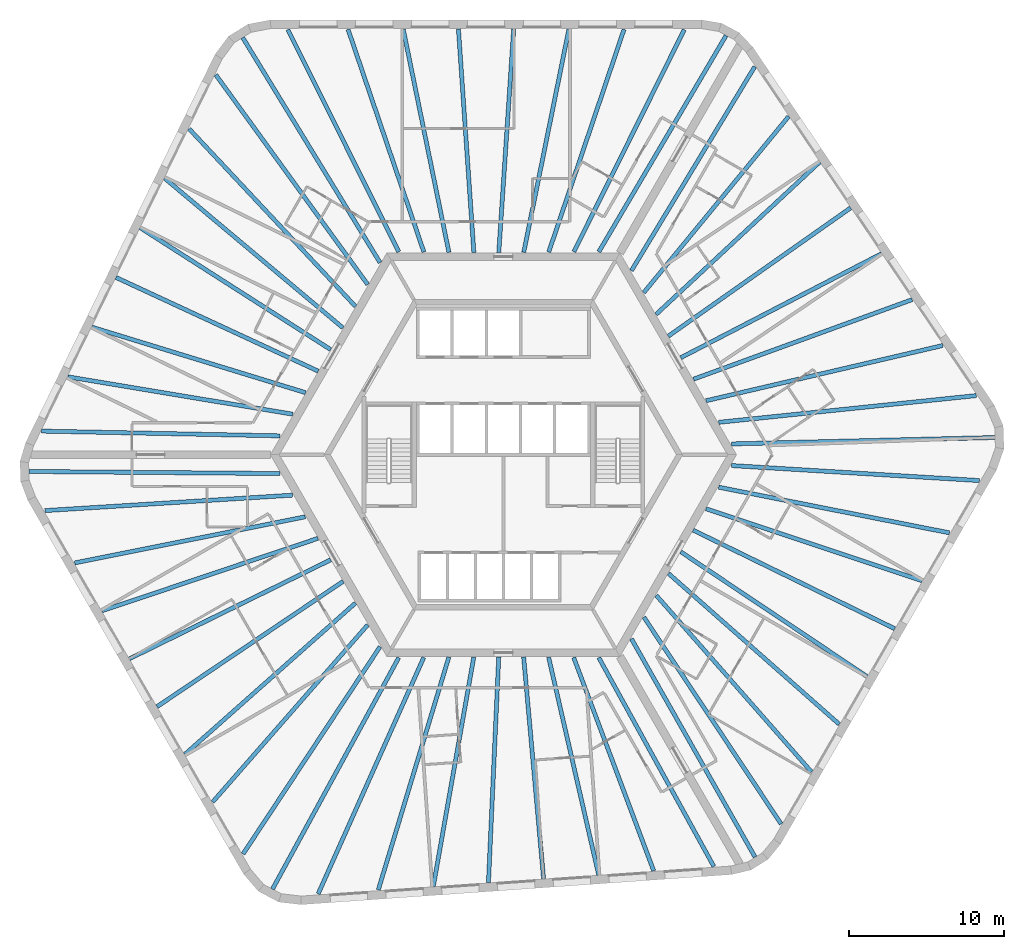
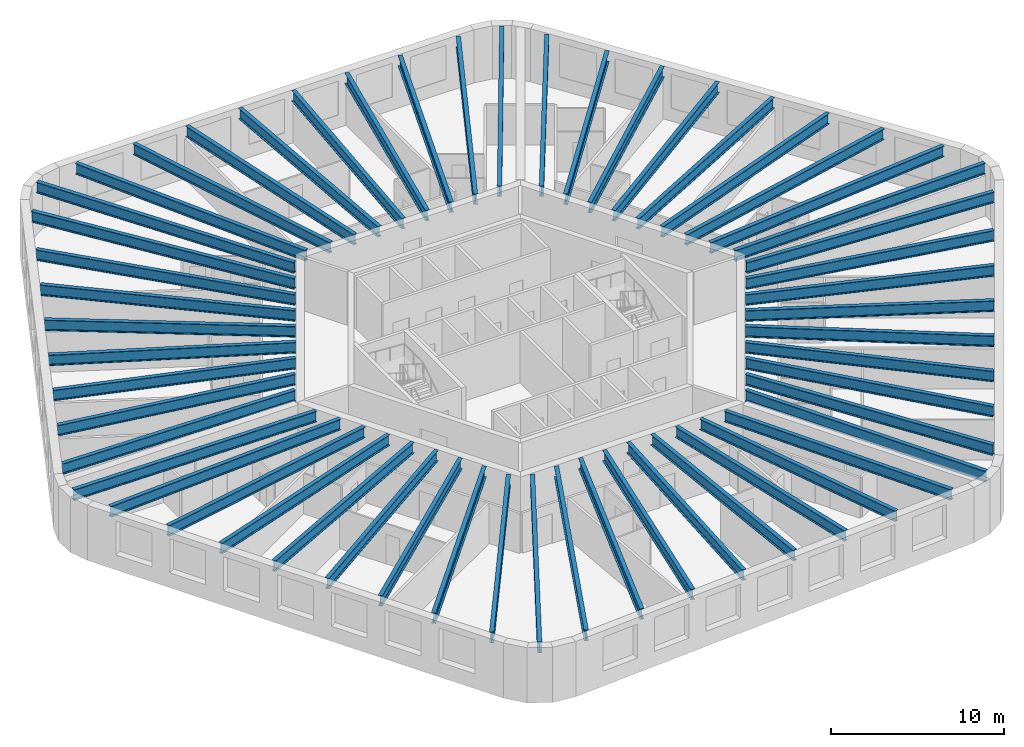
# One storey, part 1 of 10: 54 beams.
"""IFC4 building model written with IfcOpenShell, lengths in metres."""

from ifc_helpers import new_model, si_unit, direction, frame, origin, origin_2d, place, context, subcontext, project, spatial, i_section, extrude, material, material_profile, profile_set, type_object, element, save


model = new_model("IFC4")

# Units and contexts
model_context = context("Model", 3, precision=1e-05, world=origin(), true_north=direction((0.0, 1.0)))
body_context = subcontext(model_context, "Body", "Model", "MODEL_VIEW")
ifc_project = project(units=[si_unit("LENGTHUNIT", "METRE"), si_unit("AREAUNIT", "SQUARE_METRE"), si_unit("VOLUMEUNIT", "CUBIC_METRE"), si_unit("PLANEANGLEUNIT", "RADIAN"), si_unit("MASSUNIT", "GRAM", prefix="KILO")], contexts=[model_context])

# Site, building, storey
site_placement = place(None, origin())
site = spatial("IfcSite", under=ifc_project, at=site_placement, CompositionType="ELEMENT")
building_placement = place(site_placement, origin())
building = spatial("IfcBuilding", under=site, at=building_placement, Name="Tarnside Tower", CompositionType="ELEMENT")
storey_placement = place(building_placement, frame((0.0, 0.0, 242.39990234375)))
storey = spatial("IfcBuildingStorey", under=building, at=storey_placement, Name="L58", CompositionType="ELEMENT", Elevation=242.39990234375)

# Beams
ifc_material = material(Name="Steel S355", Category="steel")
ifc_material_profile_1 = material_profile(ifc_material, i_section(OverallWidth=0.26513671875, OverallDepth=0.75390625, WebThickness=0.0126953125, FlangeThickness=0.017578125, FilletRadius=0.0166015625, at=origin_2d()), Name="UB 762x267x147")
ifc_profile_set_1 = profile_set([ifc_material_profile_1], Name="Steel S355")
beam_type_1 = type_object("IfcBeamType", Name="Floor beam UB 762x267x147", PredefinedType="BEAM", material=ifc_profile_set_1)
beam_1_placement = place(storey_placement, frame((7.77001953125, 27.393310546875, 3.373046875), z_axis=(-0.320362579778, -0.947295000239, 0.0), x_axis=(0.947295000239, -0.320362579778, 0.0)))
element("IfcBeam", 1, at=beam_1_placement, inside=storey, type_object=beam_type_1, Name="Floor beam F1.02", PredefinedType="BEAM", context=body_context, shape_type="SweptSolid", body=[
    extrude(i_section(OverallWidth=0.26513671875, OverallDepth=0.75390625, WebThickness=0.0126953125, FlangeThickness=0.017578125, FilletRadius=0.0166015625, at=origin_2d()), origin(), (0.0, 0.0, 1.0), 15.134033203125),
])
beam_2_placement = place(storey_placement, frame((4.218505859375, 27.410888671875, 3.373046875), z_axis=(-0.19841777413, -0.980117537293, 0.0), x_axis=(0.980117537293, -0.19841777413, 0.0)))
element("IfcBeam", 2, at=beam_2_placement, inside=storey, type_object=beam_type_1, Name="Floor beam F1.03", PredefinedType="BEAM", context=body_context, shape_type="SweptSolid", body=[
    extrude(i_section(OverallWidth=0.26513671875, OverallDepth=0.75390625, WebThickness=0.0126953125, FlangeThickness=0.017578125, FilletRadius=0.0166015625, at=origin_2d()), origin(), (0.0, 0.0, 1.0), 14.6630859375),
])
beam_3_placement = place(storey_placement, frame((0.66259765625, 27.429931640625, 3.373046875), z_axis=(-0.066554914868, -0.997782763585, 0.0), x_axis=(0.997782763585, -0.066554914868, 0.0)))
element("IfcBeam", 3, at=beam_3_placement, inside=storey, type_object=beam_type_1, Name="Floor beam F1.04", PredefinedType="BEAM", context=body_context, shape_type="SweptSolid", body=[
    extrude(i_section(OverallWidth=0.26513671875, OverallDepth=0.75390625, WebThickness=0.0126953125, FlangeThickness=0.017578125, FilletRadius=0.0166015625, at=origin_2d()), origin(), (0.0, 0.0, 1.0), 14.44189453125),
])
beam_4_placement = place(storey_placement, frame((-2.8974609375, 27.429931640625, 3.373046875), z_axis=(0.068876921658, -0.997625164911, 0.0), x_axis=(0.997625164911, 0.068876921658, 0.0)))
element("IfcBeam", 4, at=beam_4_placement, inside=storey, type_object=beam_type_1, Name="Floor beam F1.05", PredefinedType="BEAM", context=body_context, shape_type="SweptSolid", body=[
    extrude(i_section(OverallWidth=0.26513671875, OverallDepth=0.75390625, WebThickness=0.0126953125, FlangeThickness=0.017578125, FilletRadius=0.0166015625, at=origin_2d()), origin(), (0.0, 0.0, 1.0), 14.4443359375),
])
beam_5_placement = place(storey_placement, frame((-6.45361328125, 27.410888671875, 3.373046875), z_axis=(0.200623497398, -0.979668419564, 0.0), x_axis=(0.979668419564, 0.200623497398, 0.0)))
element("IfcBeam", 5, at=beam_5_placement, inside=storey, type_object=beam_type_1, Name="Floor beam F1.06", PredefinedType="BEAM", context=body_context, shape_type="SweptSolid", body=[
    extrude(i_section(OverallWidth=0.26513671875, OverallDepth=0.75390625, WebThickness=0.0126953125, FlangeThickness=0.017578125, FilletRadius=0.0166015625, at=origin_2d()), origin(), (0.0, 0.0, 1.0), 14.669921875),
])
beam_6_placement = place(storey_placement, frame((-10.0048828125, 27.393310546875, 3.373046875), z_axis=(0.322343712034, -0.946622697442, 0.0), x_axis=(0.946622697442, 0.322343712034, 0.0)))
element("IfcBeam", 6, at=beam_6_placement, inside=storey, type_object=beam_type_1, Name="Floor beam F1.07", PredefinedType="BEAM", context=body_context, shape_type="SweptSolid", body=[
    extrude(i_section(OverallWidth=0.26513671875, OverallDepth=0.75390625, WebThickness=0.0126953125, FlangeThickness=0.017578125, FilletRadius=0.0166015625, at=origin_2d()), origin(), (0.0, 0.0, 1.0), 15.144775390625),
])
beam_7_placement = place(storey_placement, frame((-20.241455078125, 20.9892578125, 3.373046875), z_axis=(0.683752330283, -0.729714156936, 0.0), x_axis=(0.729714156936, 0.683752330283, 0.0)))
element("IfcBeam", 7, at=beam_7_placement, inside=storey, type_object=beam_type_1, Name="Floor beam F2.02", PredefinedType="BEAM", context=body_context, shape_type="SweptSolid", body=[
    extrude(i_section(OverallWidth=0.26513671875, OverallDepth=0.75390625, WebThickness=0.0126953125, FlangeThickness=0.017578125, FilletRadius=0.0166015625, at=origin_2d()), origin(), (0.0, 0.0, 1.0), 15.6591796875),
])
beam_8_placement = place(storey_placement, frame((-21.81396484375, 17.80419921875, 3.373046875), z_axis=(0.765948461073, -0.642901979294, 0.0), x_axis=(0.642901979294, 0.765948461073, 0.0)))
element("IfcBeam", 8, at=beam_8_placement, inside=storey, type_object=beam_type_1, Name="Floor beam F2.03", PredefinedType="BEAM", context=body_context, shape_type="SweptSolid", body=[
    extrude(i_section(OverallWidth=0.26513671875, OverallDepth=0.75390625, WebThickness=0.0126953125, FlangeThickness=0.017578125, FilletRadius=0.0166015625, at=origin_2d()), origin(), (0.0, 0.0, 1.0), 14.982177734375),
])
beam_9_placement = place(storey_placement, frame((-23.389892578125, 14.616455078125, 3.373046875), z_axis=(0.842378275633, -0.538886667808, 0.0), x_axis=(0.538886667808, 0.842378275633, 0.0)))
element("IfcBeam", 9, at=beam_9_placement, inside=storey, type_object=beam_type_1, Name="Floor beam F2.04", PredefinedType="BEAM", context=body_context, shape_type="SweptSolid", body=[
    extrude(i_section(OverallWidth=0.26513671875, OverallDepth=0.75390625, WebThickness=0.0126953125, FlangeThickness=0.017578125, FilletRadius=0.0166015625, at=origin_2d()), origin(), (0.0, 0.0, 1.0), 14.5595703125),
])
beam_10_placement = place(storey_placement, frame((-24.9501953125, 11.416748046875, 3.373046875), z_axis=(0.907310131748, -0.420462037321, 0.0), x_axis=(0.420462037321, 0.907310131748, 0.0)))
element("IfcBeam", 10, at=beam_10_placement, inside=storey, type_object=beam_type_1, Name="Floor beam F2.05", PredefinedType="BEAM", context=body_context, shape_type="SweptSolid", body=[
    extrude(i_section(OverallWidth=0.26513671875, OverallDepth=0.75390625, WebThickness=0.0126953125, FlangeThickness=0.017578125, FilletRadius=0.0166015625, at=origin_2d()), origin(), (0.0, 0.0, 1.0), 14.353515625),
])
beam_11_placement = place(storey_placement, frame((-26.510986328125, 8.2177734375, 3.373046875), z_axis=(0.956073348261, -0.293127536654, 0.0), x_axis=(0.293127536654, 0.956073348261, 0.0)))
element("IfcBeam", 11, at=beam_11_placement, inside=storey, type_object=beam_type_1, Name="Floor beam F2.06", PredefinedType="BEAM", context=body_context, shape_type="SweptSolid", body=[
    extrude(i_section(OverallWidth=0.26513671875, OverallDepth=0.75390625, WebThickness=0.0126953125, FlangeThickness=0.017578125, FilletRadius=0.0166015625, at=origin_2d()), origin(), (0.0, 0.0, 1.0), 14.3955078125),
])
beam_12_placement = place(storey_placement, frame((-28.0517578125, 5.015869140625, 3.373046875), z_axis=(0.986476498304, -0.163902770858, 0.0), x_axis=(0.163902770858, 0.986476498304, 0.0)))
element("IfcBeam", 12, at=beam_12_placement, inside=storey, type_object=beam_type_1, Name="Floor beam F2.07", PredefinedType="BEAM", context=body_context, shape_type="SweptSolid", body=[
    extrude(i_section(OverallWidth=0.26513671875, OverallDepth=0.75390625, WebThickness=0.0126953125, FlangeThickness=0.017578125, FilletRadius=0.0166015625, at=origin_2d()), origin(), (0.0, 0.0, 1.0), 14.680908203125),
])
beam_13_placement = place(storey_placement, frame((-29.73828125, 1.521484375, 3.373046875), z_axis=(0.999800142641, -0.019991867701, 0.0), x_axis=(0.019991867701, 0.999800142641, 0.0)))
element("IfcBeam", 13, at=beam_13_placement, inside=storey, type_object=beam_type_1, Name="Floor beam F2.08", PredefinedType="BEAM", context=body_context, shape_type="SweptSolid", body=[
    extrude(i_section(OverallWidth=0.26513671875, OverallDepth=0.75390625, WebThickness=0.0126953125, FlangeThickness=0.017578125, FilletRadius=0.0166015625, at=origin_2d()), origin(), (0.0, 0.0, 1.0), 15.3505859375),
])
beam_14_placement = place(storey_placement, frame((-27.608154296875, -6.967529296875, 3.373046875), z_axis=(0.980564540422, 0.196196794232, 0.0), x_axis=(-0.196196794232, 0.980564540422, 0.0)))
element("IfcBeam", 14, at=beam_14_placement, inside=storey, type_object=beam_type_1, Name="Floor beam F3.02", PredefinedType="BEAM", context=body_context, shape_type="SweptSolid", body=[
    extrude(i_section(OverallWidth=0.26513671875, OverallDepth=0.75390625, WebThickness=0.0126953125, FlangeThickness=0.017578125, FilletRadius=0.0166015625, at=origin_2d()), origin(), (0.0, 0.0, 1.0), 15.134033203125),
])
beam_15_placement = place(storey_placement, frame((-25.84765625, -10.052001953125, 3.373046875), z_axis=(0.948011835322, 0.31823507049, 0.0), x_axis=(-0.31823507049, 0.948011835322, 0.0)))
element("IfcBeam", 15, at=beam_15_placement, inside=storey, type_object=beam_type_1, Name="Floor beam F3.03", PredefinedType="BEAM", context=body_context, shape_type="SweptSolid", body=[
    extrude(i_section(OverallWidth=0.26513671875, OverallDepth=0.75390625, WebThickness=0.0126953125, FlangeThickness=0.017578125, FilletRadius=0.0166015625, at=origin_2d()), origin(), (0.0, 0.0, 1.0), 14.662841796875),
])
beam_16_placement = place(storey_placement, frame((-24.086181640625, -13.141357421875, 3.373046875), z_axis=(0.897375974806, 0.441266767206, 0.0), x_axis=(-0.441266767206, 0.897375974806, 0.0)))
element("IfcBeam", 16, at=beam_16_placement, inside=storey, type_object=beam_type_1, Name="Floor beam F3.04", PredefinedType="BEAM", context=body_context, shape_type="SweptSolid", body=[
    extrude(i_section(OverallWidth=0.26513671875, OverallDepth=0.75390625, WebThickness=0.0126953125, FlangeThickness=0.017578125, FilletRadius=0.0166015625, at=origin_2d()), origin(), (0.0, 0.0, 1.0), 14.442138671875),
])
beam_17_placement = place(storey_placement, frame((-22.306396484375, -16.224365234375, 3.373046875), z_axis=(0.829532486243, 0.558458462437, 0.0), x_axis=(-0.558458462437, 0.829532486243, 0.0)))
element("IfcBeam", 17, at=beam_17_placement, inside=storey, type_object=beam_type_1, Name="Floor beam F3.05", PredefinedType="BEAM", context=body_context, shape_type="SweptSolid", body=[
    extrude(i_section(OverallWidth=0.26513671875, OverallDepth=0.75390625, WebThickness=0.0126953125, FlangeThickness=0.017578125, FilletRadius=0.0166015625, at=origin_2d()), origin(), (0.0, 0.0, 1.0), 14.444580078125),
])
beam_18_placement = place(storey_placement, frame((-20.51171875, -19.294189453125, 3.373046875), z_axis=(0.74811408094, 0.663570133369, 0.0), x_axis=(-0.663570133369, 0.74811408094, 0.0)))
element("IfcBeam", 18, at=beam_18_placement, inside=storey, type_object=beam_type_1, Name="Floor beam F3.06", PredefinedType="BEAM", context=body_context, shape_type="SweptSolid", body=[
    extrude(i_section(OverallWidth=0.26513671875, OverallDepth=0.75390625, WebThickness=0.0126953125, FlangeThickness=0.017578125, FilletRadius=0.0166015625, at=origin_2d()), origin(), (0.0, 0.0, 1.0), 14.669677734375),
])
beam_19_placement = place(storey_placement, frame((-18.720703125, -22.361083984375, 3.373046875), z_axis=(0.658621010302, 0.752474826681, 0.0), x_axis=(-0.752474826681, 0.658621010302, 0.0)))
element("IfcBeam", 19, at=beam_19_placement, inside=storey, type_object=beam_type_1, Name="Floor beam F3.07", PredefinedType="BEAM", context=body_context, shape_type="SweptSolid", body=[
    extrude(i_section(OverallWidth=0.26513671875, OverallDepth=0.75390625, WebThickness=0.0126953125, FlangeThickness=0.017578125, FilletRadius=0.0166015625, at=origin_2d()), origin(), (0.0, 0.0, 1.0), 15.144775390625),
])
beam_20_placement = place(storey_placement, frame((-8.056396484375, -28.024169921875, 3.373046875), z_axis=(0.290070138838, 0.957005388989, 0.0), x_axis=(-0.957005388989, 0.290070138838, 0.0)))
element("IfcBeam", 20, at=beam_20_placement, inside=storey, type_object=beam_type_1, Name="Floor beam F4.02", PredefinedType="BEAM", context=body_context, shape_type="SweptSolid", body=[
    extrude(i_section(OverallWidth=0.26513671875, OverallDepth=0.75390625, WebThickness=0.0126953125, FlangeThickness=0.017578125, FilletRadius=0.0166015625, at=origin_2d()), origin(), (0.0, 0.0, 1.0), 15.6591796875),
])
beam_21_placement = place(storey_placement, frame((-4.511962890625, -27.793701171875, 3.373046875), z_axis=(0.173788122681, 0.984783066678, 0.0), x_axis=(-0.984783066678, 0.173788122681, 0.0)))
element("IfcBeam", 21, at=beam_21_placement, inside=storey, type_object=beam_type_1, Name="Floor beam F4.03", PredefinedType="BEAM", context=body_context, shape_type="SweptSolid", body=[
    extrude(i_section(OverallWidth=0.26513671875, OverallDepth=0.75390625, WebThickness=0.0126953125, FlangeThickness=0.017578125, FilletRadius=0.0166015625, at=origin_2d()), origin(), (0.0, 0.0, 1.0), 14.982421875),
])
beam_22_placement = place(storey_placement, frame((-0.96337890625, -27.564453125, 3.373046875), z_axis=(0.045509585226, 0.998963902077, 0.0), x_axis=(-0.998963902077, 0.045509585226, 0.0)))
element("IfcBeam", 22, at=beam_22_placement, inside=storey, type_object=beam_type_1, Name="Floor beam F4.04", PredefinedType="BEAM", context=body_context, shape_type="SweptSolid", body=[
    extrude(i_section(OverallWidth=0.26513671875, OverallDepth=0.75390625, WebThickness=0.0126953125, FlangeThickness=0.017578125, FilletRadius=0.0166015625, at=origin_2d()), origin(), (0.0, 0.0, 1.0), 14.5595703125),
])
beam_23_placement = place(storey_placement, frame((2.587890625, -27.31591796875, 3.373046875), z_axis=(-0.089518916897, 0.995985122137, 0.0), x_axis=(-0.995985122137, -0.089518916897, 0.0)))
element("IfcBeam", 23, at=beam_23_placement, inside=storey, type_object=beam_type_1, Name="Floor beam F4.05", PredefinedType="BEAM", context=body_context, shape_type="SweptSolid", body=[
    extrude(i_section(OverallWidth=0.26513671875, OverallDepth=0.75390625, WebThickness=0.0126953125, FlangeThickness=0.017578125, FilletRadius=0.0166015625, at=origin_2d()), origin(), (0.0, 0.0, 1.0), 14.353515625),
])
beam_24_placement = place(storey_placement, frame((6.138671875, -27.068115234375, 3.373046875), z_axis=(-0.224188122435, 0.974545886944, 0.0), x_axis=(-0.974545886944, -0.224188122435, 0.0)))
element("IfcBeam", 24, at=beam_24_placement, inside=storey, type_object=beam_type_1, Name="Floor beam F4.06", PredefinedType="BEAM", context=body_context, shape_type="SweptSolid", body=[
    extrude(i_section(OverallWidth=0.26513671875, OverallDepth=0.75390625, WebThickness=0.0126953125, FlangeThickness=0.017578125, FilletRadius=0.0166015625, at=origin_2d()), origin(), (0.0, 0.0, 1.0), 14.3955078125),
])
beam_25_placement = place(storey_placement, frame((9.681884765625, -26.801513671875, 3.373046875), z_axis=(-0.351271055087, 0.936273809234, 0.0), x_axis=(-0.936273809234, -0.351271055087, 0.0)))
element("IfcBeam", 25, at=beam_25_placement, inside=storey, type_object=beam_type_1, Name="Floor beam F4.07", PredefinedType="BEAM", context=body_context, shape_type="SweptSolid", body=[
    extrude(i_section(OverallWidth=0.26513671875, OverallDepth=0.75390625, WebThickness=0.0126953125, FlangeThickness=0.017578125, FilletRadius=0.0166015625, at=origin_2d()), origin(), (0.0, 0.0, 1.0), 14.680908203125),
])
beam_26_placement = place(storey_placement, frame((13.551513671875, -26.514892578125, 3.373046875), z_axis=(-0.482584088089, 0.875849643445, 0.0), x_axis=(-0.875849643445, -0.482584088089, 0.0)))
element("IfcBeam", 26, at=beam_26_placement, inside=storey, type_object=beam_type_1, Name="Floor beam F4.08", PredefinedType="BEAM", context=body_context, shape_type="SweptSolid", body=[
    extrude(i_section(OverallWidth=0.26513671875, OverallDepth=0.75390625, WebThickness=0.0126953125, FlangeThickness=0.017578125, FilletRadius=0.0166015625, at=origin_2d()), origin(), (0.0, 0.0, 1.0), 15.3505859375),
])
beam_27_placement = place(storey_placement, frame((19.838134765625, -20.425537109375, 3.373046875), z_axis=(-0.660201214512, 0.751088780609, 0.0), x_axis=(-0.751088780609, -0.660201214512, 0.0)))
element("IfcBeam", 27, at=beam_27_placement, inside=storey, type_object=beam_type_1, Name="Floor beam F5.02", PredefinedType="BEAM", context=body_context, shape_type="SweptSolid", body=[
    extrude(i_section(OverallWidth=0.26513671875, OverallDepth=0.75390625, WebThickness=0.0126953125, FlangeThickness=0.017578125, FilletRadius=0.0166015625, at=origin_2d()), origin(), (0.0, 0.0, 1.0), 15.134033203125),
])
beam_28_placement = place(storey_placement, frame((21.629150390625, -17.358642578125, 3.373046875), z_axis=(-0.749601662028, 0.661889226597, 0.0), x_axis=(-0.661889226597, -0.749601662028, 0.0)))
element("IfcBeam", 28, at=beam_28_placement, inside=storey, type_object=beam_type_1, Name="Floor beam F5.03", PredefinedType="BEAM", context=body_context, shape_type="SweptSolid", body=[
    extrude(i_section(OverallWidth=0.26513671875, OverallDepth=0.75390625, WebThickness=0.0126953125, FlangeThickness=0.017578125, FilletRadius=0.0166015625, at=origin_2d()), origin(), (0.0, 0.0, 1.0), 14.6630859375),
])
beam_29_placement = place(storey_placement, frame((23.423828125, -14.288818359375, 3.373046875), z_axis=(-0.830825943553, 0.556532345439, 0.0), x_axis=(-0.556532345439, -0.830825943553, 0.0)))
element("IfcBeam", 29, at=beam_29_placement, inside=storey, type_object=beam_type_1, Name="Floor beam F5.04", PredefinedType="BEAM", context=body_context, shape_type="SweptSolid", body=[
    extrude(i_section(OverallWidth=0.26513671875, OverallDepth=0.75390625, WebThickness=0.0126953125, FlangeThickness=0.017578125, FilletRadius=0.0166015625, at=origin_2d()), origin(), (0.0, 0.0, 1.0), 14.4423828125),
])
beam_30_placement = place(storey_placement, frame((25.203857421875, -11.205810546875, 3.373046875), z_axis=(-0.898407034897, 0.43916375038, 0.0), x_axis=(-0.43916375038, -0.898407034897, 0.0)))
element("IfcBeam", 30, at=beam_30_placement, inside=storey, type_object=beam_type_1, Name="Floor beam F5.05", PredefinedType="BEAM", context=body_context, shape_type="SweptSolid", body=[
    extrude(i_section(OverallWidth=0.26513671875, OverallDepth=0.75390625, WebThickness=0.0126953125, FlangeThickness=0.017578125, FilletRadius=0.0166015625, at=origin_2d()), origin(), (0.0, 0.0, 1.0), 14.444580078125),
])
beam_31_placement = place(storey_placement, frame((26.965087890625, -8.116455078125, 3.373046875), z_axis=(-0.948728223501, 0.31609295774, 0.0), x_axis=(-0.31609295774, -0.948728223501, 0.0)))
element("IfcBeam", 31, at=beam_31_placement, inside=storey, type_object=beam_type_1, Name="Floor beam F5.06", PredefinedType="BEAM", context=body_context, shape_type="SweptSolid", body=[
    extrude(i_section(OverallWidth=0.26513671875, OverallDepth=0.75390625, WebThickness=0.0126953125, FlangeThickness=0.017578125, FilletRadius=0.0166015625, at=origin_2d()), origin(), (0.0, 0.0, 1.0), 14.669677734375),
])
beam_32_placement = place(storey_placement, frame((28.7255859375, -5.031982421875, 3.373046875), z_axis=(-0.980974250646, 0.194137888034, 0.0), x_axis=(-0.194137888034, -0.980974250646, 0.0)))
element("IfcBeam", 32, at=beam_32_placement, inside=storey, type_object=beam_type_1, Name="Floor beam F5.07", PredefinedType="BEAM", context=body_context, shape_type="SweptSolid", body=[
    extrude(i_section(OverallWidth=0.26513671875, OverallDepth=0.75390625, WebThickness=0.0126953125, FlangeThickness=0.017578125, FilletRadius=0.0166015625, at=origin_2d()), origin(), (0.0, 0.0, 1.0), 15.144775390625),
])
beam_33_placement = place(storey_placement, frame((28.2978515625, 7.034912109375, 3.373046875), z_axis=(-0.973828212928, -0.227285309042, 0.0), x_axis=(0.227285309042, -0.973828212928, 0.0)))
element("IfcBeam", 33, at=beam_33_placement, inside=storey, type_object=beam_type_1, Name="Floor beam F6.02", PredefinedType="BEAM", context=body_context, shape_type="SweptSolid", body=[
    extrude(i_section(OverallWidth=0.26513671875, OverallDepth=0.75390625, WebThickness=0.0126953125, FlangeThickness=0.017578125, FilletRadius=0.0166015625, at=origin_2d()), origin(), (0.0, 0.0, 1.0), 15.6591796875),
])
beam_34_placement = place(storey_placement, frame((26.325927734375, 9.989501953125, 3.373046875), z_axis=(-0.939738697004, -0.341893523415, 0.0), x_axis=(0.341893523415, -0.939738697004, 0.0)))
element("IfcBeam", 34, at=beam_34_placement, inside=storey, type_object=beam_type_1, Name="Floor beam F6.03", PredefinedType="BEAM", context=body_context, shape_type="SweptSolid", body=[
    extrude(i_section(OverallWidth=0.26513671875, OverallDepth=0.75390625, WebThickness=0.0126953125, FlangeThickness=0.017578125, FilletRadius=0.0166015625, at=origin_2d()), origin(), (0.0, 0.0, 1.0), 14.982177734375),
])
beam_35_placement = place(storey_placement, frame((24.353271484375, 12.947998046875, 3.373046875), z_axis=(-0.887881646639, -0.460071930856, 0.0), x_axis=(0.460071930856, -0.887881646639, 0.0)))
element("IfcBeam", 35, at=beam_35_placement, inside=storey, type_object=beam_type_1, Name="Floor beam F6.04", PredefinedType="BEAM", context=body_context, shape_type="SweptSolid", body=[
    extrude(i_section(OverallWidth=0.26513671875, OverallDepth=0.75390625, WebThickness=0.0126953125, FlangeThickness=0.017578125, FilletRadius=0.0166015625, at=origin_2d()), origin(), (0.0, 0.0, 1.0), 14.5595703125),
])
beam_36_placement = place(storey_placement, frame((22.3623046875, 15.899169921875, 3.373046875), z_axis=(-0.817791001708, -0.575515314762, 0.0), x_axis=(0.575515314762, -0.817791001708, 0.0)))
element("IfcBeam", 36, at=beam_36_placement, inside=storey, type_object=beam_type_1, Name="Floor beam F6.05", PredefinedType="BEAM", context=body_context, shape_type="SweptSolid", body=[
    extrude(i_section(OverallWidth=0.26513671875, OverallDepth=0.75390625, WebThickness=0.0126953125, FlangeThickness=0.017578125, FilletRadius=0.0166015625, at=origin_2d()), origin(), (0.0, 0.0, 1.0), 14.353759765625),
])
beam_37_placement = place(storey_placement, frame((20.372314453125, 18.850341796875, 3.373046875), z_axis=(-0.731892224456, -0.681420407517, 0.0), x_axis=(0.681420407517, -0.731892224456, 0.0)))
element("IfcBeam", 37, at=beam_37_placement, inside=storey, type_object=beam_type_1, Name="Floor beam F6.06", PredefinedType="BEAM", context=body_context, shape_type="SweptSolid", body=[
    extrude(i_section(OverallWidth=0.26513671875, OverallDepth=0.75390625, WebThickness=0.0126953125, FlangeThickness=0.017578125, FilletRadius=0.0166015625, at=origin_2d()), origin(), (0.0, 0.0, 1.0), 14.3955078125),
])
beam_38_placement = place(storey_placement, frame((18.369873046875, 21.78564453125, 3.373046875), z_axis=(-0.635191827457, -0.772354414975, 0.0), x_axis=(0.772354414975, -0.635191827457, 0.0)))
element("IfcBeam", 38, at=beam_38_placement, inside=storey, type_object=beam_type_1, Name="Floor beam F6.07", PredefinedType="BEAM", context=body_context, shape_type="SweptSolid", body=[
    extrude(i_section(OverallWidth=0.26513671875, OverallDepth=0.75390625, WebThickness=0.0126953125, FlangeThickness=0.017578125, FilletRadius=0.0166015625, at=origin_2d()), origin(), (0.0, 0.0, 1.0), 14.680908203125),
])
beam_39_placement = place(storey_placement, frame((16.186767578125, 24.993408203125, 3.373046875), z_axis=(-0.517208605106, -0.855859368591, 0.0), x_axis=(0.855859368591, -0.517208605106, 0.0)))
element("IfcBeam", 39, at=beam_39_placement, inside=storey, type_object=beam_type_1, Name="Floor beam F6.08", PredefinedType="BEAM", context=body_context, shape_type="SweptSolid", body=[
    extrude(i_section(OverallWidth=0.26513671875, OverallDepth=0.75390625, WebThickness=0.0126953125, FlangeThickness=0.017578125, FilletRadius=0.0166015625, at=origin_2d()), origin(), (0.0, 0.0, 1.0), 15.3505859375),
])
ifc_material_profile_2 = material_profile(ifc_material, i_section(OverallWidth=0.2666015625, OverallDepth=0.76220703125, WebThickness=0.014404296875, FlangeThickness=0.021484375, FilletRadius=0.0166015625, at=origin_2d()), Name="UB 762x267x173")
ifc_profile_set_2 = profile_set([ifc_material_profile_2], Name="Steel S355")
beam_type_2 = type_object("IfcBeamType", Name="Floor beam UB 762x267x173", PredefinedType="BEAM", material=ifc_profile_set_2)
beam_40_placement = place(storey_placement, frame((11.6494140625, 27.37841796875, 3.368896484375), z_axis=(-0.445042310328, -0.895509543231, 0.0), x_axis=(0.895509543231, -0.445042310328, 0.0)))
element("IfcBeam", 40, at=beam_40_placement, inside=storey, type_object=beam_type_2, Name="Floor beam F1.01", PredefinedType="BEAM", context=body_context, shape_type="SweptSolid", body=[
    extrude(i_section(OverallWidth=0.2666015625, OverallDepth=0.76220703125, WebThickness=0.014404296875, FlangeThickness=0.021484375, FilletRadius=0.0166015625, at=origin_2d()), origin(), (0.0, 0.0, 1.0), 15.976318359375),
])
beam_41_placement = place(storey_placement, frame((-13.884521484375, 27.37841796875, 3.368896484375), z_axis=(0.44673108957, -0.894668281326, 0.0), x_axis=(0.894668281326, 0.44673108957, 0.0)))
element("IfcBeam", 41, at=beam_41_placement, inside=storey, type_object=beam_type_2, Name="Floor beam F1.08", PredefinedType="BEAM", context=body_context, shape_type="SweptSolid", body=[
    extrude(i_section(OverallWidth=0.2666015625, OverallDepth=0.76220703125, WebThickness=0.014404296875, FlangeThickness=0.021484375, FilletRadius=0.0166015625, at=origin_2d()), origin(), (0.0, 0.0, 1.0), 15.9912109375),
])
beam_42_placement = place(storey_placement, frame((-16.79345703125, 26.86962890625, 3.368896484375), z_axis=(0.520940467881, -0.853593011291, 0.0), x_axis=(0.853593011291, 0.520940467881, 0.0)))
element("IfcBeam", 42, at=beam_42_placement, inside=storey, type_object=beam_type_2, Name="Floor beam C1", PredefinedType="BEAM", context=body_context, shape_type="SweptSolid", body=[
    extrude(i_section(OverallWidth=0.2666015625, OverallDepth=0.76220703125, WebThickness=0.014404296875, FlangeThickness=0.021484375, FilletRadius=0.0166015625, at=origin_2d()), origin(), (0.0, 0.0, 1.0), 16.980712890625),
])
beam_43_placement = place(storey_placement, frame((-18.52685546875, 24.471435546875, 3.368896484375), z_axis=(0.586791943415, -0.80973774467, 0.0), x_axis=(0.80973774467, 0.586791943415, 0.0)))
element("IfcBeam", 43, at=beam_43_placement, inside=storey, type_object=beam_type_2, Name="Floor beam F2.01", PredefinedType="BEAM", context=body_context, shape_type="SweptSolid", body=[
    extrude(i_section(OverallWidth=0.2666015625, OverallDepth=0.76220703125, WebThickness=0.014404296875, FlangeThickness=0.021484375, FilletRadius=0.0166015625, at=origin_2d()), origin(), (0.0, 0.0, 1.0), 16.67578125),
])
beam_44_placement = place(storey_placement, frame((-30.543212890625, -1.079345703125, 3.368896484375), z_axis=(0.999966072652, -0.008237326324, 0.0), x_axis=(0.008237326324, 0.999966072652, 0.0)))
element("IfcBeam", 44, at=beam_44_placement, inside=storey, type_object=beam_type_2, Name="Floor beam C2", PredefinedType="BEAM", context=body_context, shape_type="SweptSolid", body=[
    extrude(i_section(OverallWidth=0.2666015625, OverallDepth=0.76220703125, WebThickness=0.014404296875, FlangeThickness=0.021484375, FilletRadius=0.0166015625, at=origin_2d()), origin(), (0.0, 0.0, 1.0), 16.15283203125),
])
beam_45_placement = place(storey_placement, frame((-29.534912109375, -3.6005859375, 3.368896484375), z_axis=(0.99805531279, 0.062334521832, 0.0), x_axis=(-0.062334521832, 0.99805531279, 0.0)))
element("IfcBeam", 45, at=beam_45_placement, inside=storey, type_object=beam_type_2, Name="Floor beam F3.01", PredefinedType="BEAM", context=body_context, shape_type="SweptSolid", body=[
    extrude(i_section(OverallWidth=0.2666015625, OverallDepth=0.76220703125, WebThickness=0.014404296875, FlangeThickness=0.021484375, FilletRadius=0.0166015625, at=origin_2d()), origin(), (0.0, 0.0, 1.0), 15.975830078125),
])
beam_46_placement = place(storey_placement, frame((-16.768310546875, -25.71337890625, 3.368896484375), z_axis=(0.551447600123, 0.834209532623, 0.0), x_axis=(-0.834209532623, 0.551447600123, 0.0)))
element("IfcBeam", 46, at=beam_46_placement, inside=storey, type_object=beam_type_2, Name="Floor beam F3.08", PredefinedType="BEAM", context=body_context, shape_type="SweptSolid", body=[
    extrude(i_section(OverallWidth=0.2666015625, OverallDepth=0.76220703125, WebThickness=0.014404296875, FlangeThickness=0.021484375, FilletRadius=0.0166015625, at=origin_2d()), origin(), (0.0, 0.0, 1.0), 15.9912109375),
])
beam_47_placement = place(storey_placement, frame((-14.873046875, -27.978515625, 3.368896484375), z_axis=(0.478767512404, 0.877941723047, 0.0), x_axis=(-0.877941723047, 0.478767512404, 0.0)))
element("IfcBeam", 47, at=beam_47_placement, inside=storey, type_object=beam_type_2, Name="Floor beam C3", PredefinedType="BEAM", context=body_context, shape_type="SweptSolid", body=[
    extrude(i_section(OverallWidth=0.2666015625, OverallDepth=0.76220703125, WebThickness=0.014404296875, FlangeThickness=0.021484375, FilletRadius=0.0166015625, at=origin_2d()), origin(), (0.0, 0.0, 1.0), 16.98095703125),
])
beam_48_placement = place(storey_placement, frame((-11.929443359375, -28.280517578125, 3.368896484375), z_axis=(0.407852035629, 0.913048036542, 0.0), x_axis=(-0.913048036542, 0.407852035629, 0.0)))
element("IfcBeam", 48, at=beam_48_placement, inside=storey, type_object=beam_type_2, Name="Floor beam F4.01", PredefinedType="BEAM", context=body_context, shape_type="SweptSolid", body=[
    extrude(i_section(OverallWidth=0.2666015625, OverallDepth=0.76220703125, WebThickness=0.014404296875, FlangeThickness=0.021484375, FilletRadius=0.0166015625, at=origin_2d()), origin(), (0.0, 0.0, 1.0), 16.67578125),
])
beam_49_placement = place(storey_placement, frame((16.206298828125, -25.91162109375, 3.368896484375), z_axis=(-0.492847437034, 0.870115741616, 0.0), x_axis=(-0.870115741616, -0.492847437034, 0.0)))
element("IfcBeam", 49, at=beam_49_placement, inside=storey, type_object=beam_type_2, Name="Floor beam C4", PredefinedType="BEAM", context=body_context, shape_type="SweptSolid", body=[
    extrude(i_section(OverallWidth=0.2666015625, OverallDepth=0.76220703125, WebThickness=0.014404296875, FlangeThickness=0.021484375, FilletRadius=0.0166015625, at=origin_2d()), origin(), (0.0, 0.0, 1.0), 16.15283203125),
])
beam_50_placement = place(storey_placement, frame((17.8857421875, -23.77783203125, 3.368896484375), z_axis=(-0.553013371197, 0.833172377889, 0.0), x_axis=(-0.833172377889, -0.553013371197, 0.0)))
element("IfcBeam", 50, at=beam_50_placement, inside=storey, type_object=beam_type_2, Name="Floor beam F5.01", PredefinedType="BEAM", context=body_context, shape_type="SweptSolid", body=[
    extrude(i_section(OverallWidth=0.2666015625, OverallDepth=0.76220703125, WebThickness=0.014404296875, FlangeThickness=0.021484375, FilletRadius=0.0166015625, at=origin_2d()), origin(), (0.0, 0.0, 1.0), 15.97607421875),
])
beam_51_placement = place(storey_placement, frame((30.652587890625, -1.6650390625, 3.368896484375), z_axis=(-0.998170730858, 0.060458184371, 0.0), x_axis=(-0.060458184371, -0.998170730858, 0.0)))
element("IfcBeam", 51, at=beam_51_placement, inside=storey, type_object=beam_type_2, Name="Floor beam F5.08", PredefinedType="BEAM", context=body_context, shape_type="SweptSolid", body=[
    extrude(i_section(OverallWidth=0.2666015625, OverallDepth=0.76220703125, WebThickness=0.014404296875, FlangeThickness=0.021484375, FilletRadius=0.0166015625, at=origin_2d()), origin(), (0.0, 0.0, 1.0), 15.9912109375),
])
beam_52_placement = place(storey_placement, frame((31.66650390625, 1.108642578125, 3.368896484375), z_axis=(-0.999703706976, -0.024341287118, 0.0), x_axis=(0.024341287118, -0.999703706976, 0.0)))
element("IfcBeam", 52, at=beam_52_placement, inside=storey, type_object=beam_type_2, Name="Floor beam C5", PredefinedType="BEAM", context=body_context, shape_type="SweptSolid", body=[
    extrude(i_section(OverallWidth=0.2666015625, OverallDepth=0.76220703125, WebThickness=0.014404296875, FlangeThickness=0.021484375, FilletRadius=0.0166015625, at=origin_2d()), origin(), (0.0, 0.0, 1.0), 16.980712890625),
])
beam_53_placement = place(storey_placement, frame((30.456298828125, 3.80908203125, 3.368896484375), z_axis=(-0.994648352349, -0.103318222829, 0.0), x_axis=(0.103318222829, -0.994648352349, 0.0)))
element("IfcBeam", 53, at=beam_53_placement, inside=storey, type_object=beam_type_2, Name="Floor beam F6.01", PredefinedType="BEAM", context=body_context, shape_type="SweptSolid", body=[
    extrude(i_section(OverallWidth=0.2666015625, OverallDepth=0.76220703125, WebThickness=0.014404296875, FlangeThickness=0.021484375, FilletRadius=0.0166015625, at=origin_2d()), origin(), (0.0, 0.0, 1.0), 16.67578125),
])
beam_54_placement = place(storey_placement, frame((14.3369140625, 26.990966796875, 3.368896484375), z_axis=(-0.507115238706, -0.861878259775, 0.0), x_axis=(0.861878259775, -0.507115238706, 0.0)))
element("IfcBeam", 54, at=beam_54_placement, inside=storey, type_object=beam_type_2, Name="Floor beam C6", PredefinedType="BEAM", context=body_context, shape_type="SweptSolid", body=[
    extrude(i_section(OverallWidth=0.2666015625, OverallDepth=0.76220703125, WebThickness=0.014404296875, FlangeThickness=0.021484375, FilletRadius=0.0166015625, at=origin_2d()), origin(), (0.0, 0.0, 1.0), 16.15283203125),
])

save(model, "model.ifc")
